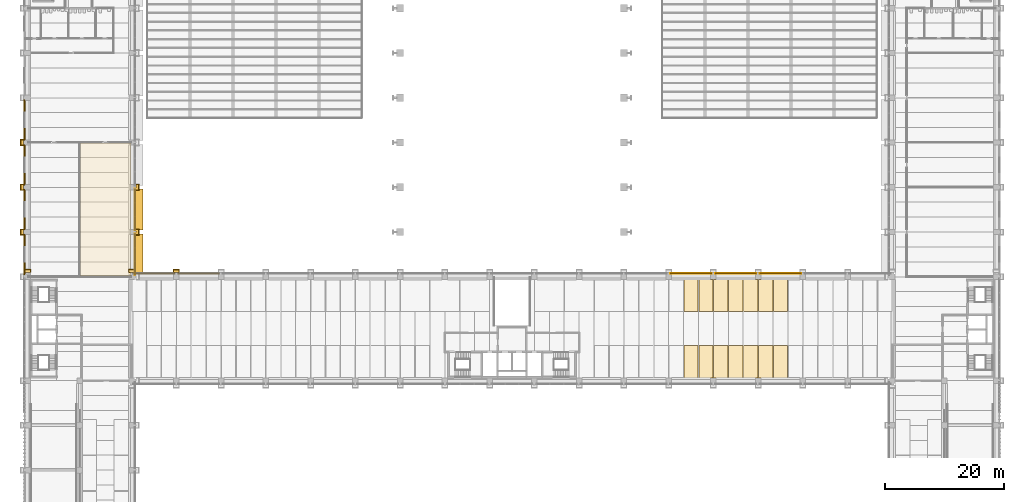
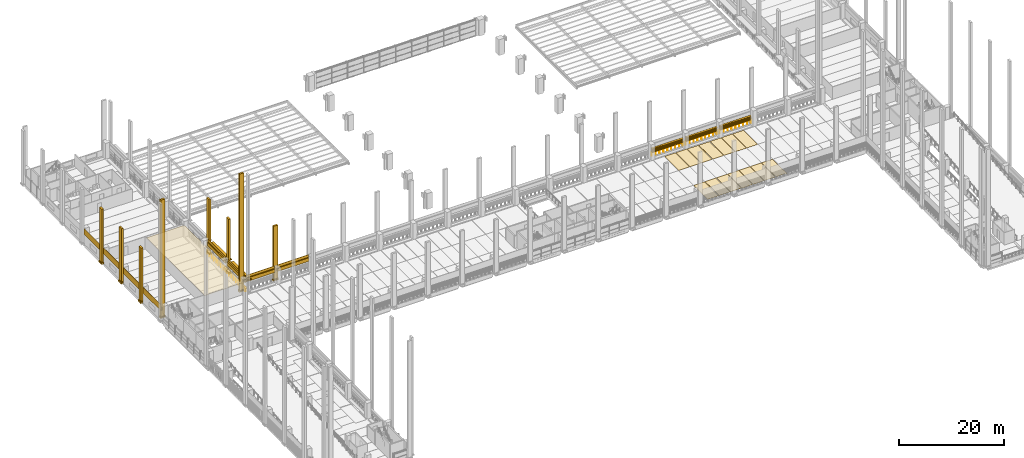
# One storey, part 51 of 67: 47 coverings, 17 shading devices, 5 railings.
"""IFC4 building model written with IfcOpenShell, lengths in metres."""

from ifc_helpers import new_model, si_unit, direction, frame, origin, origin_2d, place, context, subcontext, project, spatial, polyline, circle, outline, extrude, material, layer, layer_set, type_object, element, save


model = new_model("IFC4")

# Units and contexts
model_context = context("Model", 3, precision=1e-05, world=origin(), true_north=direction((0.0, 1.0)))
body_context = subcontext(model_context, "Body", "Model", "MODEL_VIEW")
ifc_project = project(units=[si_unit("LENGTHUNIT", "METRE"), si_unit("AREAUNIT", "SQUARE_METRE"), si_unit("VOLUMEUNIT", "CUBIC_METRE"), si_unit("PLANEANGLEUNIT", "RADIAN"), si_unit("MASSUNIT", "GRAM", prefix="KILO")], contexts=[model_context])

# Site, building, storey
site_placement = place(None, origin())
site = spatial("IfcSite", under=ifc_project, at=site_placement, CompositionType="ELEMENT")
building_placement = place(site_placement, origin())
building = spatial("IfcBuilding", under=site, at=building_placement, Name="Cour d'Honneur Mobility Palace", CompositionType="ELEMENT")
storey_placement = place(building_placement, frame((0.0, 0.0, 4.5)))
storey = spatial("IfcBuildingStorey", under=building, at=storey_placement, Name="L01", CompositionType="ELEMENT", Elevation=4.5)

# Railings
ifc_material_1 = material(Name="Painted steel", Category="steel")
railing_type = type_object("IfcRailingType", Name="Balustrade", PredefinedType="BALUSTRADE", material=ifc_material_1)
for number, where, name in (
    (1, (129.60009765625, 62.949951171875, 0.300048828125), "Balustrade BAL-42"),
    (2, (122.10009765625, 62.949951171875, 0.300048828125), "Balustrade BAL-43"),
    (3, (114.60009765625, 62.949951171875, 0.300048828125), "Balustrade BAL-44"),
):
    element("IfcRailing", number, at=place(storey_placement, frame(where)), inside=storey, type_object=railing_type, Name=name, PredefinedType="BALUSTRADE", context=body_context, shape_type="SweptSolid", body=[
        extrude(circle(Radius=0.02392578125, at=origin_2d()), frame((0.0, 0.0, 0.77587890625), z_axis=(-1.0, 0.0, 0.0), x_axis=(0.0, -1.0, 0.0)), (0.0, 0.0, 1.0), 6.900146484375),
        extrude(circle(Radius=0.02099609375, at=origin_2d()), origin(), (0.0, 0.0, 1.0), 0.751953125),
        extrude(circle(Radius=0.02099609375, at=origin_2d()), frame((-0.862548828125, 0.0, 0.0)), (0.0, 0.0, 1.0), 0.751953125),
        extrude(circle(Radius=0.02099609375, at=origin_2d()), frame((-1.72509765625, 0.0, 0.0)), (0.0, 0.0, 1.0), 0.751953125),
        extrude(circle(Radius=0.02099609375, at=origin_2d()), frame((-2.587646484375, 0.0, 0.0)), (0.0, 0.0, 1.0), 0.751953125),
        extrude(circle(Radius=0.02099609375, at=origin_2d()), frame((-3.4501953125, 0.0, 0.0)), (0.0, 0.0, 1.0), 0.751953125),
        extrude(circle(Radius=0.02099609375, at=origin_2d()), frame((-4.3125, 0.0, 0.0)), (0.0, 0.0, 1.0), 0.751953125),
        extrude(circle(Radius=0.02099609375, at=origin_2d()), frame((-5.175048828125, 0.0, 0.0)), (0.0, 0.0, 1.0), 0.751953125),
        extrude(circle(Radius=0.02099609375, at=origin_2d()), frame((-6.03759765625, 0.0, 0.0)), (0.0, 0.0, 1.0), 0.751953125),
        extrude(circle(Radius=0.02099609375, at=origin_2d()), frame((-6.900146484375, 0.0, 0.0)), (0.0, 0.0, 1.0), 0.751953125),
    ])
for number, where, name in (
    (4, (17.949951171875, 62.699951171875, 0.300048828125), "Balustrade BAL-57"),
    (5, (17.949951171875, 70.199951171875, 0.300048828125), "Balustrade BAL-58"),
):
    element("IfcRailing", number, at=place(storey_placement, frame(where)), inside=storey, type_object=railing_type, Name=name, PredefinedType="BALUSTRADE", context=body_context, shape_type="SweptSolid", body=[
        extrude(circle(Radius=0.02392578125, at=origin_2d()), frame((0.0, 0.0, 0.77587890625), z_axis=(0.0, 1.0, 0.0), x_axis=(-1.0, 0.0, 0.0)), (0.0, 0.0, 1.0), 6.900146484375),
        extrude(circle(Radius=0.02099609375, at=origin_2d()), origin(), (0.0, 0.0, 1.0), 0.751953125),
        extrude(circle(Radius=0.02099609375, at=origin_2d()), frame((0.0, 0.862548828125, 0.0)), (0.0, 0.0, 1.0), 0.751953125),
        extrude(circle(Radius=0.02099609375, at=origin_2d()), frame((0.0, 1.72509765625, 0.0)), (0.0, 0.0, 1.0), 0.751953125),
        extrude(circle(Radius=0.02099609375, at=origin_2d()), frame((0.0, 2.587646484375, 0.0)), (0.0, 0.0, 1.0), 0.751953125),
        extrude(circle(Radius=0.02099609375, at=origin_2d()), frame((0.0, 3.4501953125, 0.0)), (0.0, 0.0, 1.0), 0.751953125),
        extrude(circle(Radius=0.02099609375, at=origin_2d()), frame((0.0, 4.3125, 0.0)), (0.0, 0.0, 1.0), 0.751953125),
        extrude(circle(Radius=0.02099609375, at=origin_2d()), frame((0.0, 5.175048828125, 0.0)), (0.0, 0.0, 1.0), 0.751953125),
        extrude(circle(Radius=0.02099609375, at=origin_2d()), frame((0.0, 6.03759765625, 0.0)), (0.0, 0.0, 1.0), 0.751953125),
        extrude(circle(Radius=0.02099609375, at=origin_2d()), frame((0.0, 6.900146484375, 0.0)), (0.0, 0.0, 1.0), 0.751953125),
    ])

# Coverings
ifc_material_2 = material(Name="Parking marking paint")
ifc_layer_1 = layer(ifc_material_2, 0.0048828125)
ifc_layer_set_1 = layer_set([ifc_layer_1], Name="Parking marking paint")
covering_type_1 = type_object("IfcCoveringType", Name="Parking bay marking", PredefinedType="FLOORING", material=ifc_layer_set_1)
covering_1_placement = place(storey_placement, origin())
element("IfcCovering", 6, at=covering_1_placement, inside=storey, type_object=covering_type_1, Name="Parking bay marking L01 17", PredefinedType="FLOORING", context=body_context, shape_type="SweptSolid", body=[
    extrude(outline(polyline([(112.35009765625, 56.550048828125), (109.949951171875, 56.550048828125), (109.949951171875, 61.949951171875), (112.35009765625, 61.949951171875), (112.35009765625, 56.550048828125)])), origin(), (0.0, 0.0, 1.0), 0.0048828125),
])
covering_2_placement = place(storey_placement, origin())
element("IfcCovering", 7, at=covering_2_placement, inside=storey, type_object=covering_type_1, Name="Parking bay marking L01 18", PredefinedType="FLOORING", context=body_context, shape_type="SweptSolid", body=[
    extrude(outline(polyline([(114.85009765625, 56.550048828125), (112.449951171875, 56.550048828125), (112.449951171875, 61.949951171875), (114.85009765625, 61.949951171875), (114.85009765625, 56.550048828125)])), origin(), (0.0, 0.0, 1.0), 0.0048828125),
])
covering_3_placement = place(storey_placement, origin())
element("IfcCovering", 8, at=covering_3_placement, inside=storey, type_object=covering_type_1, Name="Parking bay marking L01 20", PredefinedType="FLOORING", context=body_context, shape_type="SweptSolid", body=[
    extrude(outline(polyline([(117.35009765625, 56.550048828125), (114.949951171875, 56.550048828125), (114.949951171875, 61.949951171875), (117.35009765625, 61.949951171875), (117.35009765625, 56.550048828125)])), origin(), (0.0, 0.0, 1.0), 0.0048828125),
])
covering_4_placement = place(storey_placement, origin())
element("IfcCovering", 9, at=covering_4_placement, inside=storey, type_object=covering_type_1, Name="Parking bay marking L01 21", PredefinedType="FLOORING", context=body_context, shape_type="SweptSolid", body=[
    extrude(outline(polyline([(119.85009765625, 56.550048828125), (117.449951171875, 56.550048828125), (117.449951171875, 61.949951171875), (119.85009765625, 61.949951171875), (119.85009765625, 56.550048828125)])), origin(), (0.0, 0.0, 1.0), 0.0048828125),
])
covering_5_placement = place(storey_placement, origin())
element("IfcCovering", 10, at=covering_5_placement, inside=storey, type_object=covering_type_1, Name="Parking bay marking L01 22", PredefinedType="FLOORING", context=body_context, shape_type="SweptSolid", body=[
    extrude(outline(polyline([(122.35009765625, 56.550048828125), (119.949951171875, 56.550048828125), (119.949951171875, 61.949951171875), (122.35009765625, 61.949951171875), (122.35009765625, 56.550048828125)])), origin(), (0.0, 0.0, 1.0), 0.0048828125),
])
covering_6_placement = place(storey_placement, origin())
element("IfcCovering", 11, at=covering_6_placement, inside=storey, type_object=covering_type_1, Name="Parking bay marking L01 23", PredefinedType="FLOORING", context=body_context, shape_type="SweptSolid", body=[
    extrude(outline(polyline([(124.85009765625, 56.550048828125), (122.449951171875, 56.550048828125), (122.449951171875, 61.949951171875), (124.85009765625, 61.949951171875), (124.85009765625, 56.550048828125)])), origin(), (0.0, 0.0, 1.0), 0.0048828125),
])
covering_7_placement = place(storey_placement, origin())
element("IfcCovering", 12, at=covering_7_placement, inside=storey, type_object=covering_type_1, Name="Parking bay marking L01 24", PredefinedType="FLOORING", context=body_context, shape_type="SweptSolid", body=[
    extrude(outline(polyline([(127.35009765625, 56.550048828125), (124.949951171875, 56.550048828125), (124.949951171875, 61.949951171875), (127.35009765625, 61.949951171875), (127.35009765625, 56.550048828125)])), origin(), (0.0, 0.0, 1.0), 0.0048828125),
])
covering_8_placement = place(storey_placement, origin())
element("IfcCovering", 13, at=covering_8_placement, inside=storey, type_object=covering_type_1, Name="Parking bay marking L01 56", PredefinedType="FLOORING", context=body_context, shape_type="SweptSolid", body=[
    extrude(outline(polyline([(112.35009765625, 45.449951171875), (109.949951171875, 45.449951171875), (109.949951171875, 50.85009765625), (112.35009765625, 50.85009765625), (112.35009765625, 45.449951171875)])), origin(), (0.0, 0.0, 1.0), 0.0048828125),
])
covering_9_placement = place(storey_placement, origin())
element("IfcCovering", 14, at=covering_9_placement, inside=storey, type_object=covering_type_1, Name="Parking bay marking L01 57", PredefinedType="FLOORING", context=body_context, shape_type="SweptSolid", body=[
    extrude(outline(polyline([(114.85009765625, 45.449951171875), (112.449951171875, 45.449951171875), (112.449951171875, 50.85009765625), (114.85009765625, 50.85009765625), (114.85009765625, 45.449951171875)])), origin(), (0.0, 0.0, 1.0), 0.0048828125),
])
covering_10_placement = place(storey_placement, origin())
element("IfcCovering", 15, at=covering_10_placement, inside=storey, type_object=covering_type_1, Name="Parking bay marking L01 59", PredefinedType="FLOORING", context=body_context, shape_type="SweptSolid", body=[
    extrude(outline(polyline([(117.35009765625, 45.449951171875), (114.949951171875, 45.449951171875), (114.949951171875, 50.85009765625), (117.35009765625, 50.85009765625), (117.35009765625, 45.449951171875)])), origin(), (0.0, 0.0, 1.0), 0.0048828125),
])
covering_11_placement = place(storey_placement, origin())
element("IfcCovering", 16, at=covering_11_placement, inside=storey, type_object=covering_type_1, Name="Parking bay marking L01 60", PredefinedType="FLOORING", context=body_context, shape_type="SweptSolid", body=[
    extrude(outline(polyline([(119.85009765625, 45.449951171875), (117.449951171875, 45.449951171875), (117.449951171875, 50.85009765625), (119.85009765625, 50.85009765625), (119.85009765625, 45.449951171875)])), origin(), (0.0, 0.0, 1.0), 0.0048828125),
])
covering_12_placement = place(storey_placement, origin())
element("IfcCovering", 17, at=covering_12_placement, inside=storey, type_object=covering_type_1, Name="Parking bay marking L01 61", PredefinedType="FLOORING", context=body_context, shape_type="SweptSolid", body=[
    extrude(outline(polyline([(122.35009765625, 45.449951171875), (119.949951171875, 45.449951171875), (119.949951171875, 50.85009765625), (122.35009765625, 50.85009765625), (122.35009765625, 45.449951171875)])), origin(), (0.0, 0.0, 1.0), 0.0048828125),
])
covering_13_placement = place(storey_placement, origin())
element("IfcCovering", 18, at=covering_13_placement, inside=storey, type_object=covering_type_1, Name="Parking bay marking L01 62", PredefinedType="FLOORING", context=body_context, shape_type="SweptSolid", body=[
    extrude(outline(polyline([(124.85009765625, 45.449951171875), (122.449951171875, 45.449951171875), (122.449951171875, 50.85009765625), (124.85009765625, 50.85009765625), (124.85009765625, 45.449951171875)])), origin(), (0.0, 0.0, 1.0), 0.0048828125),
])
covering_14_placement = place(storey_placement, origin())
element("IfcCovering", 19, at=covering_14_placement, inside=storey, type_object=covering_type_1, Name="Parking bay marking L01 63", PredefinedType="FLOORING", context=body_context, shape_type="SweptSolid", body=[
    extrude(outline(polyline([(127.35009765625, 45.449951171875), (124.949951171875, 45.449951171875), (124.949951171875, 50.85009765625), (127.35009765625, 50.85009765625), (127.35009765625, 45.449951171875)])), origin(), (0.0, 0.0, 1.0), 0.0048828125),
])
ifc_material_3 = material(Name="Cast limestone", Category="masonry")
ifc_layer_2 = layer(ifc_material_3, 0.14990234375)
ifc_layer_set_2 = layer_set([ifc_layer_2], Name="Cast limestone")
covering_type_2 = type_object("IfcCoveringType", Name="Pilaster base", PredefinedType="CLADDING", material=ifc_layer_set_2)
covering_15_placement = place(storey_placement, frame((0.0, 0.0, 0.10009765625)))
element("IfcCovering", 20, at=covering_15_placement, inside=storey, type_object=covering_type_2, Name="Pilaster base PB-155", PredefinedType="CLADDING", context=body_context, shape_type="SweptSolid", body=[
    extrude(outline(polyline([(25.449951171875, 63.14990234375), (24.35009765625, 63.14990234375), (24.35009765625, 63.699951171875), (25.449951171875, 63.699951171875), (25.449951171875, 63.14990234375)])), origin(), (0.0, 0.0, 1.0), 0.2998046875),
])
covering_16_placement = place(storey_placement, frame((0.0, 0.0, 0.39990234375)))
element("IfcCovering", 21, at=covering_16_placement, inside=storey, type_object=covering_type_2, Name="Pilaster base PB-156", PredefinedType="CLADDING", context=body_context, shape_type="SweptSolid", body=[
    extrude(outline(polyline([(25.39990234375, 63.14990234375), (24.39990234375, 63.14990234375), (24.39990234375, 63.6201171875), (25.39990234375, 63.6201171875), (25.39990234375, 63.14990234375)])), origin(), (0.0, 0.0, 1.0), 0.150146484375),
])
covering_17_placement = place(storey_placement, frame((0.0, 0.0, 0.10009765625)))
element("IfcCovering", 22, at=covering_17_placement, inside=storey, type_object=covering_type_2, Name="Pilaster base PB-157", PredefinedType="CLADDING", context=body_context, shape_type="SweptSolid", body=[
    extrude(outline(polyline([(17.949951171875, 63.14990234375), (16.85009765625, 63.14990234375), (16.85009765625, 63.699951171875), (17.949951171875, 63.699951171875), (17.949951171875, 63.14990234375)])), origin(), (0.0, 0.0, 1.0), 0.2998046875),
])
covering_18_placement = place(storey_placement, frame((0.0, 0.0, 0.39990234375)))
element("IfcCovering", 23, at=covering_18_placement, inside=storey, type_object=covering_type_2, Name="Pilaster base PB-158", PredefinedType="CLADDING", context=body_context, shape_type="SweptSolid", body=[
    extrude(outline(polyline([(17.89990234375, 63.14990234375), (16.89990234375, 63.14990234375), (16.89990234375, 63.6201171875), (17.89990234375, 63.6201171875), (17.89990234375, 63.14990234375)])), origin(), (0.0, 0.0, 1.0), 0.150146484375),
])
covering_19_placement = place(storey_placement, frame((0.0, 0.0, 0.10009765625)))
element("IfcCovering", 24, at=covering_19_placement, inside=storey, type_object=covering_type_2, Name="Pilaster base PB-161", PredefinedType="CLADDING", context=body_context, shape_type="SweptSolid", body=[
    extrude(outline(polyline([(18.14990234375, 69.35009765625), (18.14990234375, 70.449951171875), (18.699951171875, 70.449951171875), (18.699951171875, 69.35009765625), (18.14990234375, 69.35009765625)])), origin(), (0.0, 0.0, 1.0), 0.2998046875),
])
covering_20_placement = place(storey_placement, frame((0.0, 0.0, 0.39990234375)))
element("IfcCovering", 25, at=covering_20_placement, inside=storey, type_object=covering_type_2, Name="Pilaster base PB-162", PredefinedType="CLADDING", context=body_context, shape_type="SweptSolid", body=[
    extrude(outline(polyline([(18.14990234375, 69.39990234375), (18.14990234375, 70.39990234375), (18.6201171875, 70.39990234375), (18.6201171875, 69.39990234375), (18.14990234375, 69.39990234375)])), origin(), (0.0, 0.0, 1.0), 0.150146484375),
])
covering_21_placement = place(storey_placement, frame((0.0, 0.0, 0.10009765625)))
element("IfcCovering", 26, at=covering_21_placement, inside=storey, type_object=covering_type_2, Name="Pilaster base PB-163", PredefinedType="CLADDING", context=body_context, shape_type="SweptSolid", body=[
    extrude(outline(polyline([(18.14990234375, 76.85009765625), (18.14990234375, 77.949951171875), (18.699951171875, 77.949951171875), (18.699951171875, 76.85009765625), (18.14990234375, 76.85009765625)])), origin(), (0.0, 0.0, 1.0), 0.2998046875),
])
covering_22_placement = place(storey_placement, frame((0.0, 0.0, 0.39990234375)))
element("IfcCovering", 27, at=covering_22_placement, inside=storey, type_object=covering_type_2, Name="Pilaster base PB-164", PredefinedType="CLADDING", context=body_context, shape_type="SweptSolid", body=[
    extrude(outline(polyline([(18.14990234375, 76.89990234375), (18.14990234375, 77.89990234375), (18.6201171875, 77.89990234375), (18.6201171875, 76.89990234375), (18.14990234375, 76.89990234375)])), origin(), (0.0, 0.0, 1.0), 0.150146484375),
])
covering_23_placement = place(storey_placement, frame((0.0, 0.0, 0.10009765625)))
element("IfcCovering", 28, at=covering_23_placement, inside=storey, type_object=covering_type_2, Name="Pilaster base PB-187", PredefinedType="CLADDING", context=body_context, shape_type="SweptSolid", body=[
    extrude(outline(polyline([(-0.75, 85.449951171875), (-0.75, 84.35009765625), (-1.300048828125, 84.35009765625), (-1.300048828125, 85.449951171875), (-0.75, 85.449951171875)])), origin(), (0.0, 0.0, 1.0), 0.2998046875),
])
covering_24_placement = place(storey_placement, frame((0.0, 0.0, 0.39990234375)))
element("IfcCovering", 29, at=covering_24_placement, inside=storey, type_object=covering_type_2, Name="Pilaster base PB-188", PredefinedType="CLADDING", context=body_context, shape_type="SweptSolid", body=[
    extrude(outline(polyline([(-0.75, 85.39990234375), (-0.75, 84.39990234375), (-1.219970703125, 84.39990234375), (-1.219970703125, 85.39990234375), (-0.75, 85.39990234375)])), origin(), (0.0, 0.0, 1.0), 0.150146484375),
])
covering_25_placement = place(storey_placement, frame((0.0, 0.0, 0.10009765625)))
element("IfcCovering", 30, at=covering_25_placement, inside=storey, type_object=covering_type_2, Name="Pilaster base PB-189", PredefinedType="CLADDING", context=body_context, shape_type="SweptSolid", body=[
    extrude(outline(polyline([(-0.75, 77.949951171875), (-0.75, 76.85009765625), (-1.300048828125, 76.85009765625), (-1.300048828125, 77.949951171875), (-0.75, 77.949951171875)])), origin(), (0.0, 0.0, 1.0), 0.2998046875),
])
covering_26_placement = place(storey_placement, frame((0.0, 0.0, 0.39990234375)))
element("IfcCovering", 31, at=covering_26_placement, inside=storey, type_object=covering_type_2, Name="Pilaster base PB-190", PredefinedType="CLADDING", context=body_context, shape_type="SweptSolid", body=[
    extrude(outline(polyline([(-0.75, 77.89990234375), (-0.75, 76.89990234375), (-1.219970703125, 76.89990234375), (-1.219970703125, 77.89990234375), (-0.75, 77.89990234375)])), origin(), (0.0, 0.0, 1.0), 0.150146484375),
])
covering_27_placement = place(storey_placement, frame((0.0, 0.0, 0.10009765625)))
element("IfcCovering", 32, at=covering_27_placement, inside=storey, type_object=covering_type_2, Name="Pilaster base PB-191", PredefinedType="CLADDING", context=body_context, shape_type="SweptSolid", body=[
    extrude(outline(polyline([(-0.75, 70.449951171875), (-0.75, 69.35009765625), (-1.300048828125, 69.35009765625), (-1.300048828125, 70.449951171875), (-0.75, 70.449951171875)])), origin(), (0.0, 0.0, 1.0), 0.2998046875),
])
covering_28_placement = place(storey_placement, frame((0.0, 0.0, 0.39990234375)))
element("IfcCovering", 33, at=covering_28_placement, inside=storey, type_object=covering_type_2, Name="Pilaster base PB-192", PredefinedType="CLADDING", context=body_context, shape_type="SweptSolid", body=[
    extrude(outline(polyline([(-0.75, 70.39990234375), (-0.75, 69.39990234375), (-1.219970703125, 69.39990234375), (-1.219970703125, 70.39990234375), (-0.75, 70.39990234375)])), origin(), (0.0, 0.0, 1.0), 0.150146484375),
])
covering_29_placement = place(storey_placement, frame((0.0, 0.0, 0.10009765625)))
element("IfcCovering", 34, at=covering_29_placement, inside=storey, type_object=covering_type_2, Name="Pilaster base PB-209", PredefinedType="CLADDING", context=body_context, shape_type="SweptSolid", body=[
    extrude(outline(polyline([(0.550048828125, 63.14990234375), (-0.550048828125, 63.14990234375), (-0.550048828125, 63.699951171875), (0.550048828125, 63.699951171875), (0.550048828125, 63.14990234375)])), origin(), (0.0, 0.0, 1.0), 0.2998046875),
])
covering_30_placement = place(storey_placement, frame((0.0, 0.0, 0.39990234375)))
element("IfcCovering", 35, at=covering_30_placement, inside=storey, type_object=covering_type_2, Name="Pilaster base PB-210", PredefinedType="CLADDING", context=body_context, shape_type="SweptSolid", body=[
    extrude(outline(polyline([(0.5, 63.14990234375), (-0.5, 63.14990234375), (-0.5, 63.6201171875), (0.5, 63.6201171875), (0.5, 63.14990234375)])), origin(), (0.0, 0.0, 1.0), 0.150146484375),
])
ifc_material_4 = material(Name="Cast limestone", Category="masonry")
ifc_layer_3 = layer(ifc_material_4, 0.39990234375)
ifc_layer_set_3 = layer_set([ifc_layer_3], Name="Cast limestone")
covering_type_3 = type_object("IfcCoveringType", Name="Pilaster shaft", PredefinedType="CLADDING", material=ifc_layer_set_3)
covering_31_placement = place(storey_placement, frame((0.0, 0.0, 0.550048828125)))
element("IfcCovering", 36, at=covering_31_placement, inside=storey, type_object=covering_type_3, Name="Pilaster shaft PS-78", PredefinedType="CLADDING", context=body_context, shape_type="SweptSolid", body=[
    extrude(outline(polyline([(25.35009765625, 63.14990234375), (24.449951171875, 63.14990234375), (24.449951171875, 63.550048828125), (25.35009765625, 63.550048828125), (25.35009765625, 63.14990234375)])), origin(), (0.0, 0.0, 1.0), 12.349853515625),
])
covering_32_placement = place(storey_placement, frame((0.0, 0.0, 0.550048828125)))
element("IfcCovering", 37, at=covering_32_placement, inside=storey, type_object=covering_type_3, Name="Pilaster shaft PS-79", PredefinedType="CLADDING", context=body_context, shape_type="SweptSolid", body=[
    extrude(outline(polyline([(17.85009765625, 63.14990234375), (16.949951171875, 63.14990234375), (16.949951171875, 63.550048828125), (17.85009765625, 63.550048828125), (17.85009765625, 63.14990234375)])), origin(), (0.0, 0.0, 1.0), 27.14990234375),
])
covering_33_placement = place(storey_placement, frame((0.0, 0.0, 0.550048828125)))
element("IfcCovering", 38, at=covering_33_placement, inside=storey, type_object=covering_type_3, Name="Pilaster shaft PS-81", PredefinedType="CLADDING", context=body_context, shape_type="SweptSolid", body=[
    extrude(outline(polyline([(18.14990234375, 69.449951171875), (18.14990234375, 70.35009765625), (18.550048828125, 70.35009765625), (18.550048828125, 69.449951171875), (18.14990234375, 69.449951171875)])), origin(), (0.0, 0.0, 1.0), 12.349853515625),
])
covering_34_placement = place(storey_placement, frame((0.0, 0.0, 0.550048828125)))
element("IfcCovering", 39, at=covering_34_placement, inside=storey, type_object=covering_type_3, Name="Pilaster shaft PS-82", PredefinedType="CLADDING", context=body_context, shape_type="SweptSolid", body=[
    extrude(outline(polyline([(18.14990234375, 76.949951171875), (18.14990234375, 77.85009765625), (18.550048828125, 77.85009765625), (18.550048828125, 76.949951171875), (18.14990234375, 76.949951171875)])), origin(), (0.0, 0.0, 1.0), 12.349853515625),
])
covering_35_placement = place(storey_placement, frame((0.0, 0.0, 0.550048828125)))
element("IfcCovering", 40, at=covering_35_placement, inside=storey, type_object=covering_type_3, Name="Pilaster shaft PS-94", PredefinedType="CLADDING", context=body_context, shape_type="SweptSolid", body=[
    extrude(outline(polyline([(-0.75, 85.35009765625), (-0.75, 84.449951171875), (-1.14990234375, 84.449951171875), (-1.14990234375, 85.35009765625), (-0.75, 85.35009765625)])), origin(), (0.0, 0.0, 1.0), 12.349853515625),
])
covering_36_placement = place(storey_placement, frame((0.0, 0.0, 0.550048828125)))
element("IfcCovering", 41, at=covering_36_placement, inside=storey, type_object=covering_type_3, Name="Pilaster shaft PS-95", PredefinedType="CLADDING", context=body_context, shape_type="SweptSolid", body=[
    extrude(outline(polyline([(-0.75, 77.85009765625), (-0.75, 76.949951171875), (-1.14990234375, 76.949951171875), (-1.14990234375, 77.85009765625), (-0.75, 77.85009765625)])), origin(), (0.0, 0.0, 1.0), 12.349853515625),
])
covering_37_placement = place(storey_placement, frame((0.0, 0.0, 0.550048828125)))
element("IfcCovering", 42, at=covering_37_placement, inside=storey, type_object=covering_type_3, Name="Pilaster shaft PS-96", PredefinedType="CLADDING", context=body_context, shape_type="SweptSolid", body=[
    extrude(outline(polyline([(-0.75, 70.35009765625), (-0.75, 69.449951171875), (-1.14990234375, 69.449951171875), (-1.14990234375, 70.35009765625), (-0.75, 70.35009765625)])), origin(), (0.0, 0.0, 1.0), 12.349853515625),
])
covering_38_placement = place(storey_placement, frame((0.0, 0.0, 0.550048828125)))
element("IfcCovering", 43, at=covering_38_placement, inside=storey, type_object=covering_type_3, Name="Pilaster shaft PS-105", PredefinedType="CLADDING", context=body_context, shape_type="SweptSolid", body=[
    extrude(outline(polyline([(0.449951171875, 63.14990234375), (-0.449951171875, 63.14990234375), (-0.449951171875, 63.550048828125), (0.449951171875, 63.550048828125), (0.449951171875, 63.14990234375)])), origin(), (0.0, 0.0, 1.0), 27.14990234375),
])
ifc_material_5 = material(Name="Cast limestone", Category="masonry")
ifc_layer_4 = layer(ifc_material_5, 0.25)
ifc_layer_set_4 = layer_set([ifc_layer_4], Name="Cast limestone")
covering_type_4 = type_object("IfcCoveringType", Name="Spandrel cladding", PredefinedType="CLADDING", material=ifc_layer_set_4)
for number, where, z_axis, x_axis, name in (
    (44, (32.10009765625, 62.85009765625, 2.300048828125), (1.0, 0.0, 0.0), (0.0, 1.0, 0.0), "Spandrel cladding SK-122"),
    (45, (24.60009765625, 62.85009765625, 2.300048828125), (1.0, 0.0, 0.0), (0.0, 1.0, 0.0), "Spandrel cladding SK-123"),
    (46, (17.85009765625, 62.699951171875, 2.300048828125), (0.0, -1.0, 0.0), (1.0, 0.0, 0.0), "Spandrel cladding SK-124"),
    (47, (17.85009765625, 70.199951171875, 2.300048828125), (0.0, -1.0, 0.0), (1.0, 0.0, 0.0), "Spandrel cladding SK-125"),
    (48, (-0.449951171875, 92.10009765625, 2.300048828125), (0.0, 1.0, 0.0), (-1.0, 0.0, 0.0), "Spandrel cladding SK-132"),
    (49, (-0.449951171875, 84.60009765625, 2.300048828125), (0.0, 1.0, 0.0), (-1.0, 0.0, 0.0), "Spandrel cladding SK-133"),
    (50, (-0.449951171875, 77.10009765625, 2.300048828125), (0.0, 1.0, 0.0), (-1.0, 0.0, 0.0), "Spandrel cladding SK-134"),
    (51, (-0.449951171875, 69.60009765625, 2.300048828125), (0.0, 1.0, 0.0), (-1.0, 0.0, 0.0), "Spandrel cladding SK-135"),
):
    element("IfcCovering", number, at=place(storey_placement, frame(where, z_axis=z_axis, x_axis=x_axis)), inside=storey, type_object=covering_type_4, Name=name, PredefinedType="CLADDING", context=body_context, shape_type="SweptSolid", body=[
        extrude(outline(polyline([(0.0, 0.0), (0.25, 0.0), (0.25, 1.39990234375), (0.199951171875, 1.39990234375), (0.199951171875, 0.800048828125), (0.0, 0.800048828125), (0.0, 0.0)])), origin(), (0.0, 0.0, -1.0), 6.89990234375),
    ])

# Shading devices
ifc_material_6 = material(Name="Anodised aluminium", Category="aluminium")
ifc_layer_5 = layer(ifc_material_6, 0.1201171875)
ifc_layer_set_5 = layer_set([ifc_layer_5], Name="Anodised aluminium")
shading_device_type_1 = type_object("IfcShadingDeviceType", Name="Sunshade 1200", PredefinedType="AWNING", material=ifc_layer_set_5)
shading_device_1_placement = place(storey_placement, frame((0.0, 0.0, 2.6298828125)))
element("IfcShadingDevice", 52, at=shading_device_1_placement, inside=storey, type_object=shading_device_type_1, Name="Sunshade E9.0 L01", PredefinedType="AWNING", context=body_context, shape_type="SweptSolid", body=[
    extrude(outline(polyline([(18.10009765625, 62.699951171875), (18.10009765625, 69.60009765625), (19.300048828125, 69.60009765625), (19.300048828125, 62.699951171875), (18.10009765625, 62.699951171875)])), origin(), (0.0, 0.0, 1.0), 0.1201171875),
])
shading_device_2_placement = place(storey_placement, frame((0.0, 0.0, 2.6298828125)))
element("IfcShadingDevice", 53, at=shading_device_2_placement, inside=storey, type_object=shading_device_type_1, Name="Sunshade E9.1 L01", PredefinedType="AWNING", context=body_context, shape_type="SweptSolid", body=[
    extrude(outline(polyline([(18.10009765625, 70.199951171875), (18.10009765625, 77.10009765625), (19.300048828125, 77.10009765625), (19.300048828125, 70.199951171875), (18.10009765625, 70.199951171875)])), origin(), (0.0, 0.0, 1.0), 0.1201171875),
])

# Covering
ifc_material_7 = material(Name="Suspended ceiling")
ifc_layer_6 = layer(ifc_material_7, 0.030029296875)
ifc_layer_set_6 = layer_set([ifc_layer_6], Name="Suspended ceiling")
covering_type_5 = type_object("IfcCoveringType", Name="Suspended ceiling", PredefinedType="CEILING", material=ifc_layer_set_6)
covering_39_placement = place(storey_placement, frame((0.0, 0.0, 2.550048828125)))
element("IfcCovering", 54, at=covering_39_placement, inside=storey, type_object=covering_type_5, Name="Ceiling Community Room", PredefinedType="CEILING", context=body_context, shape_type="SweptSolid", body=[
    extrude(outline(polyline([(17.280029296875, 62.52001953125), (8.820068359375, 62.52001953125), (8.820068359375, 84.780029296875), (17.280029296875, 84.780029296875), (17.280029296875, 62.52001953125)])), origin(), (0.0, 0.0, 1.0), 0.030029296875),
])

# Shading devices
ifc_material_8 = material(Name="Terracotta", Category="masonry")
ifc_layer_7 = layer(ifc_material_8, 0.02490234375)
ifc_layer_set_7 = layer_set([ifc_layer_7], Name="Terracotta")
shading_device_type_2 = type_object("IfcShadingDeviceType", Name="Terracotta louvre blade", PredefinedType="JALOUSIE", material=ifc_layer_set_7)
shading_device_3_placement = place(storey_placement, frame((129.60009765625, 62.843994140625, 1.10009765625), z_axis=(0.0, -0.706699578995, 0.707513749017), x_axis=(-1.0, 0.0, 0.0)))
element("IfcShadingDevice", 55, at=shading_device_3_placement, inside=storey, type_object=shading_device_type_2, Name="Louvre blade LV-1 N8.2 L01 1", PredefinedType="JALOUSIE", context=body_context, shape_type="SweptSolid", body=[
    extrude(outline(polyline([(0.0, 0.0), (6.900146484375, 0.0), (6.900146484375, -0.29986442442957895), (0.0, -0.29986442442957895), (0.0, 0.0)])), origin(), (0.0, 0.0, -1.0), 0.02490234375),
])
for number, where, z_axis, x_axis, name in (
    (56, (129.60009765625, 62.843994140625, 1.31201171875), (0.0, -0.707106781187, 0.707106781187), (-1.0, 0.0, 0.0), "Louvre blade LV-1 N8.2 L01 2"),
    (57, (129.60009765625, 62.843994140625, 1.524169921875), (0.0, -0.707106781187, 0.707106781187), (-1.0, 0.0, 0.0), "Louvre blade LV-1 N8.2 L01 3"),
    (58, (129.60009765625, 62.843994140625, 1.736328125), (0.0, -0.707106781187, 0.707106781187), (-1.0, 0.0, 0.0), "Louvre blade LV-1 N8.2 L01 4"),
    (59, (129.60009765625, 62.843994140625, 1.948486328125), (0.0, -0.707106781187, 0.707106781187), (-1.0, 0.0, 0.0), "Louvre blade LV-1 N8.2 L01 5"),
):
    element("IfcShadingDevice", number, at=place(storey_placement, frame(where, z_axis=z_axis, x_axis=x_axis)), inside=storey, type_object=shading_device_type_2, Name=name, PredefinedType="JALOUSIE", context=body_context, shape_type="SweptSolid", body=[
        extrude(outline(polyline([(0.0, 0.0), (6.900146484375, 0.0), (6.900146484375, -0.300037008228081), (0.0, -0.300037008228081), (0.0, 0.0)])), origin(), (0.0, 0.0, -1.0), 0.02490234375),
    ])
shading_device_4_placement = place(storey_placement, frame((122.10009765625, 62.843994140625, 1.10009765625), z_axis=(0.0, -0.706699578995, 0.707513749017), x_axis=(-1.0, 0.0, 0.0)))
element("IfcShadingDevice", 60, at=shading_device_4_placement, inside=storey, type_object=shading_device_type_2, Name="Louvre blade LV-1 N8.3 L01 1", PredefinedType="JALOUSIE", context=body_context, shape_type="SweptSolid", body=[
    extrude(outline(polyline([(0.0, 0.0), (6.900146484375, 0.0), (6.900146484375, -0.29986442442957895), (0.0, -0.29986442442957895), (0.0, 0.0)])), origin(), (0.0, 0.0, -1.0), 0.02490234375),
])
for number, where, z_axis, x_axis, name in (
    (61, (122.10009765625, 62.843994140625, 1.31201171875), (0.0, -0.707106781187, 0.707106781187), (-1.0, 0.0, 0.0), "Louvre blade LV-1 N8.3 L01 2"),
    (62, (122.10009765625, 62.843994140625, 1.524169921875), (0.0, -0.707106781187, 0.707106781187), (-1.0, 0.0, 0.0), "Louvre blade LV-1 N8.3 L01 3"),
    (63, (122.10009765625, 62.843994140625, 1.736328125), (0.0, -0.707106781187, 0.707106781187), (-1.0, 0.0, 0.0), "Louvre blade LV-1 N8.3 L01 4"),
    (64, (122.10009765625, 62.843994140625, 1.948486328125), (0.0, -0.707106781187, 0.707106781187), (-1.0, 0.0, 0.0), "Louvre blade LV-1 N8.3 L01 5"),
):
    element("IfcShadingDevice", number, at=place(storey_placement, frame(where, z_axis=z_axis, x_axis=x_axis)), inside=storey, type_object=shading_device_type_2, Name=name, PredefinedType="JALOUSIE", context=body_context, shape_type="SweptSolid", body=[
        extrude(outline(polyline([(0.0, 0.0), (6.900146484375, 0.0), (6.900146484375, -0.300037008228081), (0.0, -0.300037008228081), (0.0, 0.0)])), origin(), (0.0, 0.0, -1.0), 0.02490234375),
    ])
shading_device_5_placement = place(storey_placement, frame((114.60009765625, 62.843994140625, 1.10009765625), z_axis=(0.0, -0.706699578995, 0.707513749017), x_axis=(-1.0, 0.0, 0.0)))
element("IfcShadingDevice", 65, at=shading_device_5_placement, inside=storey, type_object=shading_device_type_2, Name="Louvre blade LV-1 N8.4 L01 1", PredefinedType="JALOUSIE", context=body_context, shape_type="SweptSolid", body=[
    extrude(outline(polyline([(0.0, 0.0), (6.900146484375, 0.0), (6.900146484375, -0.29986442442957895), (0.0, -0.29986442442957895), (0.0, 0.0)])), origin(), (0.0, 0.0, -1.0), 0.02490234375),
])
for number, where, z_axis, x_axis, name in (
    (66, (114.60009765625, 62.843994140625, 1.31201171875), (0.0, -0.707106781187, 0.707106781187), (-1.0, 0.0, 0.0), "Louvre blade LV-1 N8.4 L01 2"),
    (67, (114.60009765625, 62.843994140625, 1.524169921875), (0.0, -0.707106781187, 0.707106781187), (-1.0, 0.0, 0.0), "Louvre blade LV-1 N8.4 L01 3"),
    (68, (114.60009765625, 62.843994140625, 1.736328125), (0.0, -0.707106781187, 0.707106781187), (-1.0, 0.0, 0.0), "Louvre blade LV-1 N8.4 L01 4"),
    (69, (114.60009765625, 62.843994140625, 1.948486328125), (0.0, -0.707106781187, 0.707106781187), (-1.0, 0.0, 0.0), "Louvre blade LV-1 N8.4 L01 5"),
):
    element("IfcShadingDevice", number, at=place(storey_placement, frame(where, z_axis=z_axis, x_axis=x_axis)), inside=storey, type_object=shading_device_type_2, Name=name, PredefinedType="JALOUSIE", context=body_context, shape_type="SweptSolid", body=[
        extrude(outline(polyline([(0.0, 0.0), (6.900146484375, 0.0), (6.900146484375, -0.300037008228081), (0.0, -0.300037008228081), (0.0, 0.0)])), origin(), (0.0, 0.0, -1.0), 0.02490234375),
    ])

save(model, "model.ifc")
